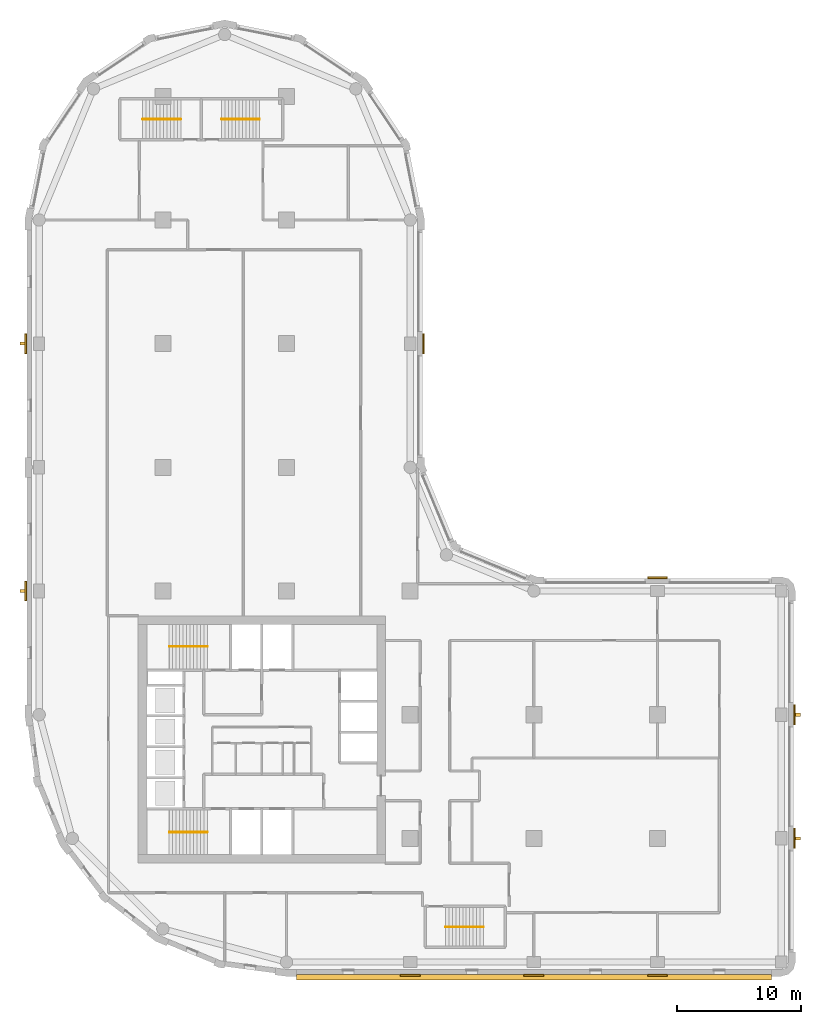
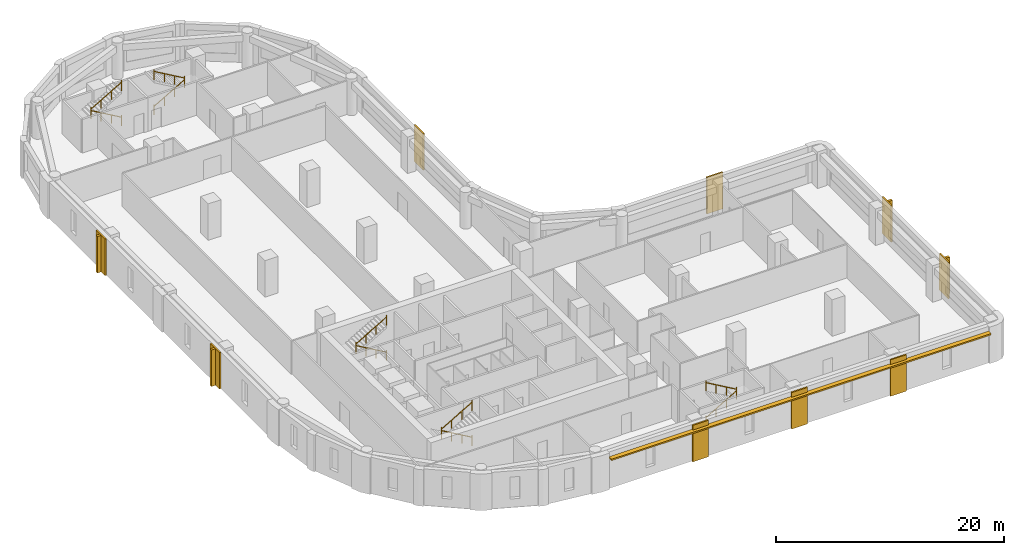
# One storey, part 8 of 9: 10 railings, 9 coverings, 5 shading devices.
"""IFC4 building model written with IfcOpenShell, lengths in metres."""

from ifc_helpers import new_model, si_unit, direction, frame, origin, origin_2d, place, context, subcontext, project, spatial, polyline, rectangle, circle, outline, extrude, material, layer, layer_set, type_object, element, save


model = new_model("IFC4")

# Units and contexts
model_context = context("Model", 3, precision=1e-05, world=origin(), true_north=direction((0.0, 1.0)))
body_context = subcontext(model_context, "Body", "Model", "MODEL_VIEW")
ifc_project = project(units=[si_unit("LENGTHUNIT", "METRE"), si_unit("AREAUNIT", "SQUARE_METRE"), si_unit("VOLUMEUNIT", "CUBIC_METRE"), si_unit("PLANEANGLEUNIT", "RADIAN"), si_unit("MASSUNIT", "GRAM", prefix="KILO")], contexts=[model_context])

# Site, building, storey
site_placement = place(None, origin())
site = spatial("IfcSite", under=ifc_project, at=site_placement, CompositionType="ELEMENT")
building_placement = place(site_placement, origin())
building = spatial("IfcBuilding", under=site, at=building_placement, Name="Qaws Garden Tower", CompositionType="ELEMENT")
storey_placement = place(building_placement, frame((0.0, 0.0, 151.199951171875)))
storey = spatial("IfcBuildingStorey", under=building, at=storey_placement, Name="L36", CompositionType="ELEMENT", Elevation=151.199951171875)

# Coverings
ifc_material_1 = material(Name="Clay facing brick masonry", Category="masonry")
ifc_layer_1 = layer(ifc_material_1, 0.14990234375)
ifc_layer_set_1 = layer_set([ifc_layer_1], Name="Clay facing brick masonry")
covering_type = type_object("IfcCoveringType", Name="Brick pilaster facing 150 x 1600", PredefinedType="CLADDING", material=ifc_layer_set_1)
placement = place(storey_placement, origin())
element("IfcCovering", 1, at=placement, inside=storey, type_object=covering_type, Name="E-L36-pier-01", PredefinedType="CLADDING", context=body_context, shape_type="SweptSolid", body=[
    extrude(outline(polyline([(29.199951171875, -1.0), (30.800048828125, -1.0), (30.800048828125, -1.14990234375), (29.199951171875, -1.14990234375), (29.199951171875, -1.0)])), origin(), (0.0, 0.0, 1.0), 3.900146484375),
])
element("IfcCovering", 2, at=placement, inside=storey, type_object=covering_type, Name="E-L36-pier-02", PredefinedType="CLADDING", context=body_context, shape_type="SweptSolid", body=[
    extrude(outline(polyline([(39.199951171875, -1.0), (40.800048828125, -1.0), (40.800048828125, -1.14990234375), (39.199951171875, -1.14990234375), (39.199951171875, -1.0)])), origin(), (0.0, 0.0, 1.0), 3.900146484375),
])
element("IfcCovering", 3, at=placement, inside=storey, type_object=covering_type, Name="E-L36-pier-03", PredefinedType="CLADDING", context=body_context, shape_type="SweptSolid", body=[
    extrude(outline(polyline([(49.199951171875, -1.0), (50.800048828125, -1.0), (50.800048828125, -1.14990234375), (49.199951171875, -1.14990234375), (49.199951171875, -1.0)])), origin(), (0.0, 0.0, 1.0), 3.900146484375),
])
element("IfcCovering", 4, at=placement, inside=storey, type_object=covering_type, Name="E-L36-pier-05", PredefinedType="CLADDING", context=body_context, shape_type="SweptSolid", body=[
    extrude(outline(polyline([(61.0, 9.199951171875), (61.0, 10.800048828125), (61.14990234375, 10.800048828125), (61.14990234375, 9.199951171875), (61.0, 9.199951171875)])), origin(), (0.0, 0.0, 1.0), 3.900146484375),
])
element("IfcCovering", 5, at=placement, inside=storey, type_object=covering_type, Name="E-L36-pier-06", PredefinedType="CLADDING", context=body_context, shape_type="SweptSolid", body=[
    extrude(outline(polyline([(61.0, 19.199951171875), (61.0, 20.800048828125), (61.14990234375, 20.800048828125), (61.14990234375, 19.199951171875), (61.0, 19.199951171875)])), origin(), (0.0, 0.0, 1.0), 3.900146484375),
])
element("IfcCovering", 6, at=placement, inside=storey, type_object=covering_type, Name="E-L36-pier-08", PredefinedType="CLADDING", context=body_context, shape_type="SweptSolid", body=[
    extrude(outline(polyline([(50.800048828125, 31.0), (49.199951171875, 31.0), (49.199951171875, 31.14990234375), (50.800048828125, 31.14990234375), (50.800048828125, 31.0)])), origin(), (0.0, 0.0, 1.0), 3.900146484375),
])
element("IfcCovering", 7, at=placement, inside=storey, type_object=covering_type, Name="E-L36-pier-12", PredefinedType="CLADDING", context=body_context, shape_type="SweptSolid", body=[
    extrude(outline(polyline([(31.0, 49.199951171875), (31.0, 50.800048828125), (31.14990234375, 50.800048828125), (31.14990234375, 49.199951171875), (31.0, 49.199951171875)])), origin(), (0.0, 0.0, 1.0), 3.900146484375),
])
element("IfcCovering", 8, at=placement, inside=storey, type_object=covering_type, Name="E-L36-pier-22", PredefinedType="CLADDING", context=body_context, shape_type="SweptSolid", body=[
    extrude(outline(polyline([(-1.0, 50.800048828125), (-1.0, 49.199951171875), (-1.14990234375, 49.199951171875), (-1.14990234375, 50.800048828125), (-1.0, 50.800048828125)])), origin(), (0.0, 0.0, 1.0), 3.900146484375),
])
element("IfcCovering", 9, at=placement, inside=storey, type_object=covering_type, Name="E-L36-pier-24", PredefinedType="CLADDING", context=body_context, shape_type="SweptSolid", body=[
    extrude(outline(polyline([(-1.0, 30.800048828125), (-1.0, 29.199951171875), (-1.14990234375, 29.199951171875), (-1.14990234375, 30.800048828125), (-1.0, 30.800048828125)])), origin(), (0.0, 0.0, 1.0), 3.900146484375),
])

# Shading devices
ifc_material_2 = material(Name="Clay facing brick masonry", Category="masonry")
ifc_layer_2 = layer(ifc_material_2, 0.14990234375)
ifc_layer_set_2 = layer_set([ifc_layer_2], Name="Clay facing brick masonry")
shading_device_type_1 = type_object("IfcShadingDeviceType", Name="Brick sunshade band 450 x 150", PredefinedType="JALOUSIE", material=ifc_layer_set_2)
shading_device_placement = place(storey_placement, frame((0.0, 0.0, 3.25)))
element("IfcShadingDevice", 10, at=shading_device_placement, inside=storey, type_object=shading_device_type_1, Name="SUNSHADE 00", PredefinedType="JALOUSIE", context=body_context, shape_type="SweptSolid", body=[
    extrude(outline(polyline([(20.800048828125, -1.0), (20.800048828125, -1.449951171875), (59.199951171875, -1.449951171875), (59.199951171875, -1.0), (50.800048828125, -1.0), (50.800048828125, -1.14990234375), (49.199951171875, -1.14990234375), (49.199951171875, -1.0), (40.800048828125, -1.0), (40.800048828125, -1.14990234375), (39.199951171875, -1.14990234375), (39.199951171875, -1.0), (30.800048828125, -1.0), (30.800048828125, -1.14990234375), (29.199951171875, -1.14990234375), (29.199951171875, -1.0), (20.800048828125, -1.0)])), origin(), (0.0, 0.0, 1.0), 0.150146484375),
])
ifc_material_3 = material(Name="Clay facing brick masonry", Category="masonry")
ifc_layer_3 = layer(ifc_material_3, 0.25)
ifc_layer_set_3 = layer_set([ifc_layer_3], Name="Clay facing brick masonry")
shading_device_type_2 = type_object("IfcShadingDeviceType", Name="Brick-faced fin 250 x 400", PredefinedType="USERDEFINED", material=ifc_layer_set_3)
for number, where, z_axis, x_axis, name in (
    (11, (61.35009765625, 10.0, 0.0), (0.0, 0.0, 1.0), (0.0, 1.0, 0.0), "FIN 05"),
    (12, (61.35009765625, 20.0, 0.0), (0.0, 0.0, 1.0), (0.0, 1.0, 0.0), "FIN 06"),
    (13, (-1.35009765625, 50.0, 0.0), (0.0, 0.0, 1.0), (0.0, -1.0, 0.0), "FIN 22"),
    (14, (-1.35009765625, 30.0, 0.0), (0.0, 0.0, 1.0), (0.0, -1.0, 0.0), "FIN 24"),
):
    element("IfcShadingDevice", number, at=place(storey_placement, frame(where, z_axis=z_axis, x_axis=x_axis)), inside=storey, type_object=shading_device_type_2, Name=name, ObjectType="FIN", PredefinedType="USERDEFINED", context=body_context, shape_type="SweptSolid", body=[
        extrude(rectangle(XDim=0.25, YDim=0.39990234375, at=origin_2d()), origin(), (0.0, 0.0, 1.0), 3.89990234375),
    ])

# Railings
ifc_material_4 = material(Name="Steel S355", Category="steel")
railing_type = type_object("IfcRailingType", Name="Stair handrail 900", PredefinedType="HANDRAIL", material=ifc_material_4)
railing_1_placement = place(storey_placement, frame((13.60009765625, 10.5, 0.16259765625)))
element("IfcRailing", 15, at=railing_1_placement, inside=storey, type_object=railing_type, Name="Stair 1 handrail", PredefinedType="HANDRAIL", context=body_context, shape_type="SweptSolid", body=[
    extrude(circle(Radius=0.02392578125, at=origin_2d()), frame((0.0, 0.0, 0.8759765625), z_axis=(-0.864920483161, 0.0, 0.501908913857), x_axis=(0.0, -1.0, 0.0)), (0.0, 0.0, 1.0), 3.56103515625),
    extrude(circle(Radius=0.02099609375, at=origin_2d()), origin(), (0.0, 0.0, 1.0), 1.06201171875),
    extrude(circle(Radius=0.02099609375, at=origin_2d()), frame((-1.026611328125, 0.0, 0.595703125)), (0.0, 0.0, 1.0), 0.851806640625),
    extrude(circle(Radius=0.02099609375, at=origin_2d()), frame((-2.053466796875, 0.0, 1.191650390625)), (0.0, 0.0, 1.0), 0.851806640625),
    extrude(circle(Radius=0.02099609375, at=origin_2d()), frame((-3.080078125, 0.0, 1.787353515625)), (0.0, 0.0, 1.0), 1.06201171875),
])
railing_2_placement = place(storey_placement, frame((10.52001953125, 10.5, 2.112548828125)))
element("IfcRailing", 16, at=railing_2_placement, inside=storey, type_object=railing_type, Name="Stair 1 handrail", PredefinedType="HANDRAIL", context=body_context, shape_type="SweptSolid", body=[
    extrude(circle(Radius=0.02392578125, at=origin_2d()), frame((0.0, 0.0, 0.8759765625), z_axis=(0.864890721111, 0.0, 0.501960198159), x_axis=(0.0, 1.0, 0.0)), (0.0, 0.0, 1.0), 3.561279296875),
    extrude(circle(Radius=0.02099609375, at=origin_2d()), origin(), (0.0, 0.0, 1.0), 1.06201171875),
    extrude(circle(Radius=0.02099609375, at=origin_2d()), frame((1.026611328125, 0.0, 0.595947265625)), (0.0, 0.0, 1.0), 0.851806640625),
    extrude(circle(Radius=0.02099609375, at=origin_2d()), frame((2.053466796875, 0.0, 1.191650390625)), (0.0, 0.0, 1.0), 0.851806640625),
    extrude(circle(Radius=0.02099609375, at=origin_2d()), frame((3.080078125, 0.0, 1.78759765625)), (0.0, 0.0, 1.0), 1.06201171875),
])
railing_3_placement = place(storey_placement, frame((13.60009765625, 25.5, 0.16259765625)))
element("IfcRailing", 17, at=railing_3_placement, inside=storey, type_object=railing_type, Name="Stair 4 handrail", PredefinedType="HANDRAIL", context=body_context, shape_type="SweptSolid", body=[
    extrude(circle(Radius=0.02392578125, at=origin_2d()), frame((0.0, 0.0, 0.8759765625), z_axis=(-0.864920483161, 0.0, 0.501908913857), x_axis=(0.0, -1.0, 0.0)), (0.0, 0.0, 1.0), 3.56103515625),
    extrude(circle(Radius=0.02099609375, at=origin_2d()), origin(), (0.0, 0.0, 1.0), 1.06201171875),
    extrude(circle(Radius=0.02099609375, at=origin_2d()), frame((-1.026611328125, 0.0, 0.595703125)), (0.0, 0.0, 1.0), 0.851806640625),
    extrude(circle(Radius=0.02099609375, at=origin_2d()), frame((-2.053466796875, 0.0, 1.191650390625)), (0.0, 0.0, 1.0), 0.851806640625),
    extrude(circle(Radius=0.02099609375, at=origin_2d()), frame((-3.080078125, 0.0, 1.787353515625)), (0.0, 0.0, 1.0), 1.06201171875),
])
railing_4_placement = place(storey_placement, frame((10.52001953125, 25.5, 2.112548828125)))
element("IfcRailing", 18, at=railing_4_placement, inside=storey, type_object=railing_type, Name="Stair 4 handrail", PredefinedType="HANDRAIL", context=body_context, shape_type="SweptSolid", body=[
    extrude(circle(Radius=0.02392578125, at=origin_2d()), frame((0.0, 0.0, 0.8759765625), z_axis=(0.864890721111, 0.0, 0.501960198159), x_axis=(0.0, 1.0, 0.0)), (0.0, 0.0, 1.0), 3.561279296875),
    extrude(circle(Radius=0.02099609375, at=origin_2d()), origin(), (0.0, 0.0, 1.0), 1.06201171875),
    extrude(circle(Radius=0.02099609375, at=origin_2d()), frame((1.026611328125, 0.0, 0.595947265625)), (0.0, 0.0, 1.0), 0.851806640625),
    extrude(circle(Radius=0.02099609375, at=origin_2d()), frame((2.053466796875, 0.0, 1.191650390625)), (0.0, 0.0, 1.0), 0.851806640625),
    extrude(circle(Radius=0.02099609375, at=origin_2d()), frame((3.080078125, 0.0, 1.78759765625)), (0.0, 0.0, 1.0), 1.06201171875),
])
railing_5_placement = place(storey_placement, frame((32.85009765625, 2.85009765625, 0.16259765625)))
element("IfcRailing", 19, at=railing_5_placement, inside=storey, type_object=railing_type, Name="Stair 5 handrail", PredefinedType="HANDRAIL", context=body_context, shape_type="SweptSolid", body=[
    extrude(circle(Radius=0.02392578125, at=origin_2d()), frame((0.0, 0.0, 0.8759765625), z_axis=(0.864903211148, 0.0, 0.501938676878), x_axis=(0.0, 1.0, 0.0)), (0.0, 0.0, 1.0), 3.560791015625),
    extrude(circle(Radius=0.02099609375, at=origin_2d()), origin(), (0.0, 0.0, 1.0), 1.06201171875),
    extrude(circle(Radius=0.02099609375, at=origin_2d()), frame((1.026611328125, 0.0, 0.595703125)), (0.0, 0.0, 1.0), 0.851806640625),
    extrude(circle(Radius=0.02099609375, at=origin_2d()), frame((2.05322265625, 0.0, 1.191650390625)), (0.0, 0.0, 1.0), 0.851806640625),
    extrude(circle(Radius=0.02099609375, at=origin_2d()), frame((3.079833984375, 0.0, 1.787353515625)), (0.0, 0.0, 1.0), 1.06201171875),
])
railing_6_placement = place(storey_placement, frame((35.929931640625, 2.85009765625, 2.112548828125)))
element("IfcRailing", 20, at=railing_6_placement, inside=storey, type_object=railing_type, Name="Stair 5 handrail", PredefinedType="HANDRAIL", context=body_context, shape_type="SweptSolid", body=[
    extrude(circle(Radius=0.02392578125, at=origin_2d()), frame((0.0, 0.0, 0.8759765625), z_axis=(-0.864873446163, 0.0, 0.501989962173), x_axis=(0.0, -1.0, 0.0)), (0.0, 0.0, 1.0), 3.56103515625),
    extrude(circle(Radius=0.02099609375, at=origin_2d()), origin(), (0.0, 0.0, 1.0), 1.06201171875),
    extrude(circle(Radius=0.02099609375, at=origin_2d()), frame((-1.026611328125, 0.0, 0.595947265625)), (0.0, 0.0, 1.0), 0.851806640625),
    extrude(circle(Radius=0.02099609375, at=origin_2d()), frame((-2.05322265625, 0.0, 1.191650390625)), (0.0, 0.0, 1.0), 0.851806640625),
    extrude(circle(Radius=0.02099609375, at=origin_2d()), frame((-3.079833984375, 0.0, 1.78759765625)), (0.0, 0.0, 1.0), 1.06201171875),
])
railing_7_placement = place(storey_placement, frame((11.449951171875, 68.14990234375, 0.16259765625)))
element("IfcRailing", 21, at=railing_7_placement, inside=storey, type_object=railing_type, Name="Stair 6 handrail", PredefinedType="HANDRAIL", context=body_context, shape_type="SweptSolid", body=[
    extrude(circle(Radius=0.02392578125, at=origin_2d()), frame((0.0, 0.0, 0.8759765625), z_axis=(-0.864903211148, 0.0, 0.501938676878), x_axis=(0.0, -1.0, 0.0)), (0.0, 0.0, 1.0), 3.560791015625),
    extrude(circle(Radius=0.02099609375, at=origin_2d()), origin(), (0.0, 0.0, 1.0), 1.06201171875),
    extrude(circle(Radius=0.02099609375, at=origin_2d()), frame((-1.026611328125, 0.0, 0.595703125)), (0.0, 0.0, 1.0), 0.851806640625),
    extrude(circle(Radius=0.02099609375, at=origin_2d()), frame((-2.05322265625, 0.0, 1.191650390625)), (0.0, 0.0, 1.0), 0.851806640625),
    extrude(circle(Radius=0.02099609375, at=origin_2d()), frame((-3.079833984375, 0.0, 1.787353515625)), (0.0, 0.0, 1.0), 1.06201171875),
])
railing_8_placement = place(storey_placement, frame((8.3701171875, 68.14990234375, 2.112548828125)))
element("IfcRailing", 22, at=railing_8_placement, inside=storey, type_object=railing_type, Name="Stair 6 handrail", PredefinedType="HANDRAIL", context=body_context, shape_type="SweptSolid", body=[
    extrude(circle(Radius=0.02392578125, at=origin_2d()), frame((0.0, 0.0, 0.8759765625), z_axis=(0.864873446163, 0.0, 0.501989962173), x_axis=(0.0, 1.0, 0.0)), (0.0, 0.0, 1.0), 3.56103515625),
    extrude(circle(Radius=0.02099609375, at=origin_2d()), origin(), (0.0, 0.0, 1.0), 1.06201171875),
    extrude(circle(Radius=0.02099609375, at=origin_2d()), frame((1.026611328125, 0.0, 0.595947265625)), (0.0, 0.0, 1.0), 0.851806640625),
    extrude(circle(Radius=0.02099609375, at=origin_2d()), frame((2.05322265625, 0.0, 1.191650390625)), (0.0, 0.0, 1.0), 0.851806640625),
    extrude(circle(Radius=0.02099609375, at=origin_2d()), frame((3.079833984375, 0.0, 1.78759765625)), (0.0, 0.0, 1.0), 1.06201171875),
])
railing_9_placement = place(storey_placement, frame((14.75, 68.14990234375, 0.16259765625)))
element("IfcRailing", 23, at=railing_9_placement, inside=storey, type_object=railing_type, Name="Stair 7 handrail", PredefinedType="HANDRAIL", context=body_context, shape_type="SweptSolid", body=[
    extrude(circle(Radius=0.02392578125, at=origin_2d()), frame((0.0, 0.0, 0.8759765625), z_axis=(0.864920483161, 0.0, 0.501908913857), x_axis=(0.0, 1.0, 0.0)), (0.0, 0.0, 1.0), 3.56103515625),
    extrude(circle(Radius=0.02099609375, at=origin_2d()), origin(), (0.0, 0.0, 1.0), 1.06201171875),
    extrude(circle(Radius=0.02099609375, at=origin_2d()), frame((1.026611328125, 0.0, 0.595703125)), (0.0, 0.0, 1.0), 0.851806640625),
    extrude(circle(Radius=0.02099609375, at=origin_2d()), frame((2.053466796875, 0.0, 1.191650390625)), (0.0, 0.0, 1.0), 0.851806640625),
    extrude(circle(Radius=0.02099609375, at=origin_2d()), frame((3.080078125, 0.0, 1.787353515625)), (0.0, 0.0, 1.0), 1.06201171875),
])
railing_10_placement = place(storey_placement, frame((17.830078125, 68.14990234375, 2.112548828125)))
element("IfcRailing", 24, at=railing_10_placement, inside=storey, type_object=railing_type, Name="Stair 7 handrail", PredefinedType="HANDRAIL", context=body_context, shape_type="SweptSolid", body=[
    extrude(circle(Radius=0.02392578125, at=origin_2d()), frame((0.0, 0.0, 0.8759765625), z_axis=(-0.864890721111, 0.0, 0.501960198159), x_axis=(0.0, -1.0, 0.0)), (0.0, 0.0, 1.0), 3.561279296875),
    extrude(circle(Radius=0.02099609375, at=origin_2d()), origin(), (0.0, 0.0, 1.0), 1.06201171875),
    extrude(circle(Radius=0.02099609375, at=origin_2d()), frame((-1.026611328125, 0.0, 0.595947265625)), (0.0, 0.0, 1.0), 0.851806640625),
    extrude(circle(Radius=0.02099609375, at=origin_2d()), frame((-2.053466796875, 0.0, 1.191650390625)), (0.0, 0.0, 1.0), 0.851806640625),
    extrude(circle(Radius=0.02099609375, at=origin_2d()), frame((-3.080078125, 0.0, 1.78759765625)), (0.0, 0.0, 1.0), 1.06201171875),
])

save(model, "model.ifc")
